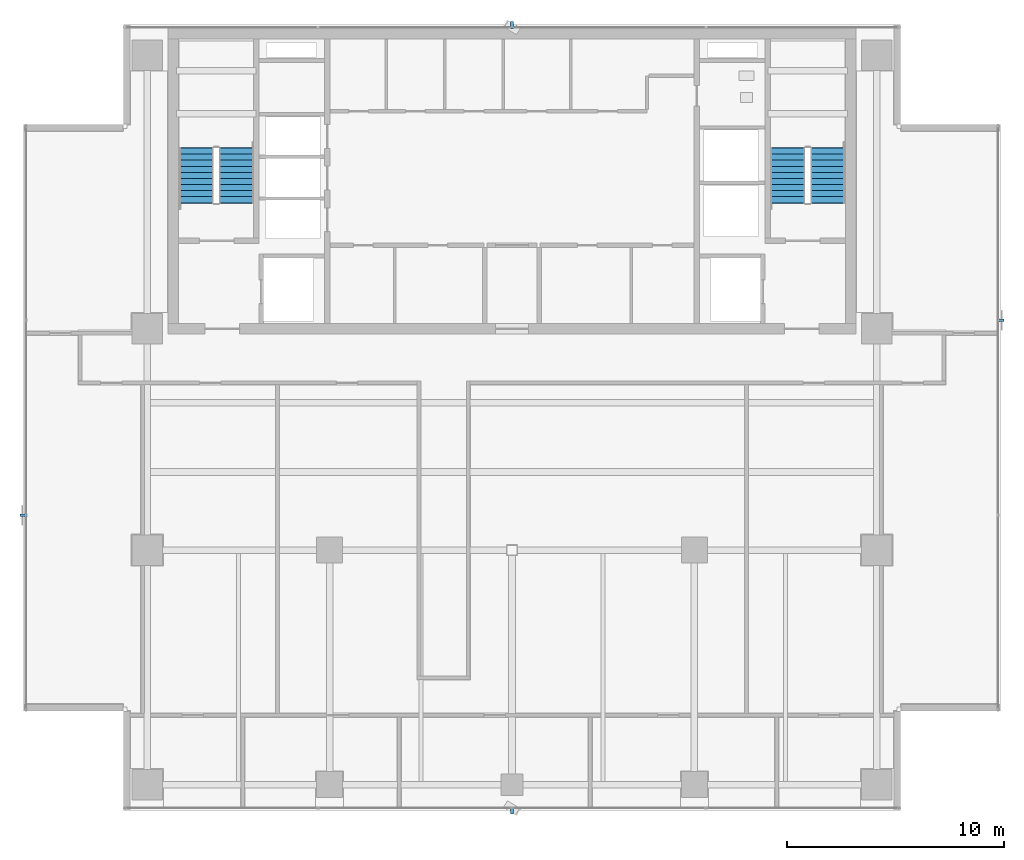
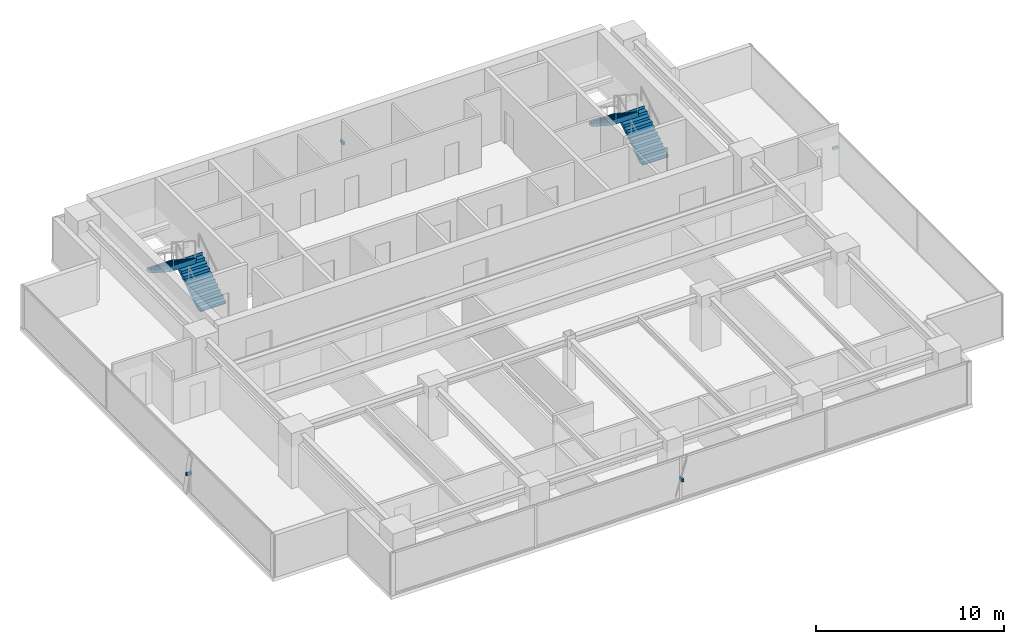
# One storey, part 22 of 26: 4 discrete accessories, 4 stair flights, 2 elements without a shape of their own.
"""IFC4 building model written with IfcOpenShell, lengths in metres."""

from ifc_helpers import new_model, si_unit, direction, frame, origin, origin_2d, place, context, subcontext, project, spatial, polyline, rectangle, outline, extrude, source, transform, mapped, material, material_profile, profile_set, type_object, element, aggregate, save


model = new_model("IFC4")

# Units and contexts
model_context = context("Model", 3, precision=1e-05, world=origin(), true_north=direction((0.0, 1.0)))
body_context = subcontext(model_context, "Body", "Model", "MODEL_VIEW")
ifc_project = project(units=[si_unit("LENGTHUNIT", "METRE"), si_unit("AREAUNIT", "SQUARE_METRE"), si_unit("VOLUMEUNIT", "CUBIC_METRE"), si_unit("PLANEANGLEUNIT", "RADIAN"), si_unit("MASSUNIT", "GRAM", prefix="KILO")], contexts=[model_context])

# Site, building, storey
site_placement = place(None, origin())
site = spatial("IfcSite", under=ifc_project, at=site_placement, CompositionType="ELEMENT")
building_placement = place(site_placement, origin())
building = spatial("IfcBuilding", under=site, at=building_placement, Name="Sumidabori Civic Tower", CompositionType="ELEMENT")
storey_placement = place(building_placement, frame((0.0, 0.0, 254.0)))
storey = spatial("IfcBuildingStorey", under=building, at=storey_placement, Name="L66", CompositionType="ELEMENT", Elevation=254.0)

# Stair, stair flights
ifc_material_1 = material(Name="Concrete C40/50", Category="concrete")
stair_type = type_object("IfcStairType", Name="ST-CORE-1600", PredefinedType="HALF_TURN_STAIR", material=ifc_material_1)
stair_1_placement = place(storey_placement, origin())
stair_1 = element("IfcStair", 1, at=stair_1_placement, inside=storey, type_object=stair_type, Name="L66 ST-1", PredefinedType="HALF_TURN_STAIR")
stair_flight_type = type_object("IfcStairFlightType", Name="SF-CORE-1600", PredefinedType="STRAIGHT", material=ifc_material_1)
shared_shape_1 = source(origin(), body_context, "Body", "SweptSolid", [
    extrude(outline(polyline([(-0.02490234375, 0.0), (-0.02490234375, 0.0400390625), (0.0, 0.0400390625), (0.0, 0.179931640625), (0.280029296875, 0.179931640625), (0.280029296875, 0.360107421875), (0.56005859375, 0.360107421875), (0.56005859375, 0.5400390625), (0.840087890625, 0.5400390625), (0.840087890625, 0.719970703125), (1.1201171875, 0.719970703125), (1.1201171875, 0.89990234375), (1.39990234375, 0.89990234375), (1.39990234375, 1.080078125), (1.679931640625, 1.080078125), (1.679931640625, 1.260009765625), (1.9599609375, 1.260009765625), (1.9599609375, 1.43994140625), (2.239990234375, 1.43994140625), (2.239990234375, 1.6201171875), (2.52001953125, 1.6201171875), (2.52001953125, 1.800048828125), (2.544921875, 1.800048828125), (2.544921875, 1.650146484375), (2.52001953125, 1.44189453125), (0.277099609375, 0.0), (-0.02490234375, 0.0)])), frame((0.0, 0.800048828125, 0.0), z_axis=(0.0, -1.0, 0.0), x_axis=(1.0, 0.0, 0.0)), (0.0, 0.0, 1.0), 1.60009765625),
])
stair_flight_1_placement = place(storey_placement, frame((-12.699951171875, 16.0, 0.0), z_axis=(0.0, 0.0, 1.0), x_axis=(0.0, 1.0, 0.0)))
stair_flight_1 = element("IfcStairFlight", 2, at=stair_flight_1_placement, type_object=stair_flight_type, Name="ST-1 flight 1", NumberOfRisers=10, NumberOfTreads=9, PredefinedType="STRAIGHT", RiserHeight=0.18, TreadLength=0.28, context=body_context, shape_type="MappedRepresentation", body=[
    mapped(shared_shape_1, transform((0.0, 0.0, 0.0), x_axis=(1.0, 0.0, 0.0), y_axis=(0.0, 1.0, 0.0), z_axis=(0.0, 0.0, 1.0), scale=1.0)),
])
stair_flight_2_placement = place(storey_placement, frame((-14.5400390625, 18.52001953125, 1.800048828125), z_axis=(0.0, 0.0, 1.0), x_axis=(0.0, -1.0, 0.0)))
stair_flight_2 = element("IfcStairFlight", 3, at=stair_flight_2_placement, type_object=stair_flight_type, Name="ST-1 flight 2", NumberOfRisers=10, NumberOfTreads=9, PredefinedType="STRAIGHT", RiserHeight=0.18, TreadLength=0.28, context=body_context, shape_type="MappedRepresentation", body=[
    mapped(shared_shape_1, transform((0.0, 0.0, 0.0), x_axis=(1.0, 0.0, 0.0), y_axis=(0.0, 1.0, 0.0), z_axis=(0.0, 0.0, 1.0), scale=1.0)),
])
aggregate(stair_1, [stair_flight_1, stair_flight_2])

stair_2_placement = place(storey_placement, origin())
stair_2 = element("IfcStair", 4, at=stair_2_placement, inside=storey, type_object=stair_type, Name="L66 ST-2", PredefinedType="HALF_TURN_STAIR")
stair_flight_3_placement = place(storey_placement, frame((14.5400390625, 16.0, 0.0), z_axis=(0.0, 0.0, 1.0), x_axis=(0.0, 1.0, 0.0)))
stair_flight_3 = element("IfcStairFlight", 5, at=stair_flight_3_placement, type_object=stair_flight_type, Name="ST-2 flight 1", NumberOfRisers=10, NumberOfTreads=9, PredefinedType="STRAIGHT", RiserHeight=0.18, TreadLength=0.28, context=body_context, shape_type="MappedRepresentation", body=[
    mapped(shared_shape_1, transform((0.0, 0.0, 0.0), x_axis=(1.0, 0.0, 0.0), y_axis=(0.0, 1.0, 0.0), z_axis=(0.0, 0.0, 1.0), scale=1.0)),
])
stair_flight_4_placement = place(storey_placement, frame((12.699951171875, 18.52001953125, 1.800048828125), z_axis=(0.0, 0.0, 1.0), x_axis=(0.0, -1.0, 0.0)))
stair_flight_4 = element("IfcStairFlight", 6, at=stair_flight_4_placement, type_object=stair_flight_type, Name="ST-2 flight 2", NumberOfRisers=10, NumberOfTreads=9, PredefinedType="STRAIGHT", RiserHeight=0.18, TreadLength=0.28, context=body_context, shape_type="MappedRepresentation", body=[
    mapped(shared_shape_1, transform((0.0, 0.0, 0.0), x_axis=(1.0, 0.0, 0.0), y_axis=(0.0, 1.0, 0.0), z_axis=(0.0, 0.0, 1.0), scale=1.0)),
])
aggregate(stair_2, [stair_flight_3, stair_flight_4])

# Discrete accessories
ifc_material_2 = material(Name="Stainless Steel Hairline Finish", Category="steel")
ifc_material_profile = material_profile(ifc_material_2, rectangle(XDim=0.1201171875, YDim=0.179931640625, at=origin_2d()), Name="STEEL BRACKET 180x120")
ifc_profile_set = profile_set([ifc_material_profile], Name="Stainless Steel Hairline Finish")
discrete_accessory_type = type_object("IfcDiscreteAccessoryType", Name="AC-BRK-180", PredefinedType="BRACKET", material=ifc_profile_set)
shared_shape_2 = source(origin(), body_context, "Body", "SweptSolid", [
    extrude(rectangle(XDim=0.1201171875, YDim=0.179931640625, at=origin_2d()), origin(), (0.0, 0.0, 1.0), 0.329833984375),
])
for number, where, z_axis, x_axis, name in (
    (7, (0.0, -11.830078125, 1.364990234375), (0.0, -1.0, 0.0), (1.0, 0.0, 0.0), "Bronze Fin Fixing Bracket L66-02"),
    (8, (22.330078125, 10.590087890625, 1.364990234375), (1.0, 0.0, 0.0), (0.0, 1.0, 0.0), "Bronze Fin Fixing Bracket L66-02"),
    (9, (-22.330078125, 1.610107421875, 1.364990234375), (-1.0, 0.0, 0.0), (0.0, -1.0, 0.0), "Bronze Fin Fixing Bracket L66-02"),
):
    element("IfcDiscreteAccessory", number, at=place(storey_placement, frame(where, z_axis=z_axis, x_axis=x_axis)), inside=storey, type_object=discrete_accessory_type, Name=name, PredefinedType="BRACKET", context=body_context, shape_type="MappedRepresentation", body=[
        mapped(shared_shape_2, transform((0.0, 0.0, 0.0), x_axis=(1.0, 0.0, 0.0), y_axis=(0.0, 1.0, 0.0), z_axis=(0.0, 0.0, 1.0), scale=1.0)),
    ])
shared_shape_3 = source(origin(), body_context, "Body", "SweptSolid", [
    extrude(rectangle(XDim=0.1201171875, YDim=0.179931640625, at=origin_2d()), origin(), (0.0, 0.0, 1.0), 0.330078125),
])
discrete_accessory_placement = place(storey_placement, frame((0.0, 24.030029296875, 1.364990234375), z_axis=(0.0, 1.0, 0.0), x_axis=(-1.0, 0.0, 0.0)))
element("IfcDiscreteAccessory", 10, at=discrete_accessory_placement, inside=storey, type_object=discrete_accessory_type, Name="Bronze Fin Fixing Bracket L66-02", PredefinedType="BRACKET", context=body_context, shape_type="MappedRepresentation", body=[
    mapped(shared_shape_3, transform((0.0, 0.0, 0.0), x_axis=(1.0, 0.0, 0.0), y_axis=(0.0, 1.0, 0.0), z_axis=(0.0, 0.0, 1.0), scale=1.0)),
])

save(model, "model.ifc")
